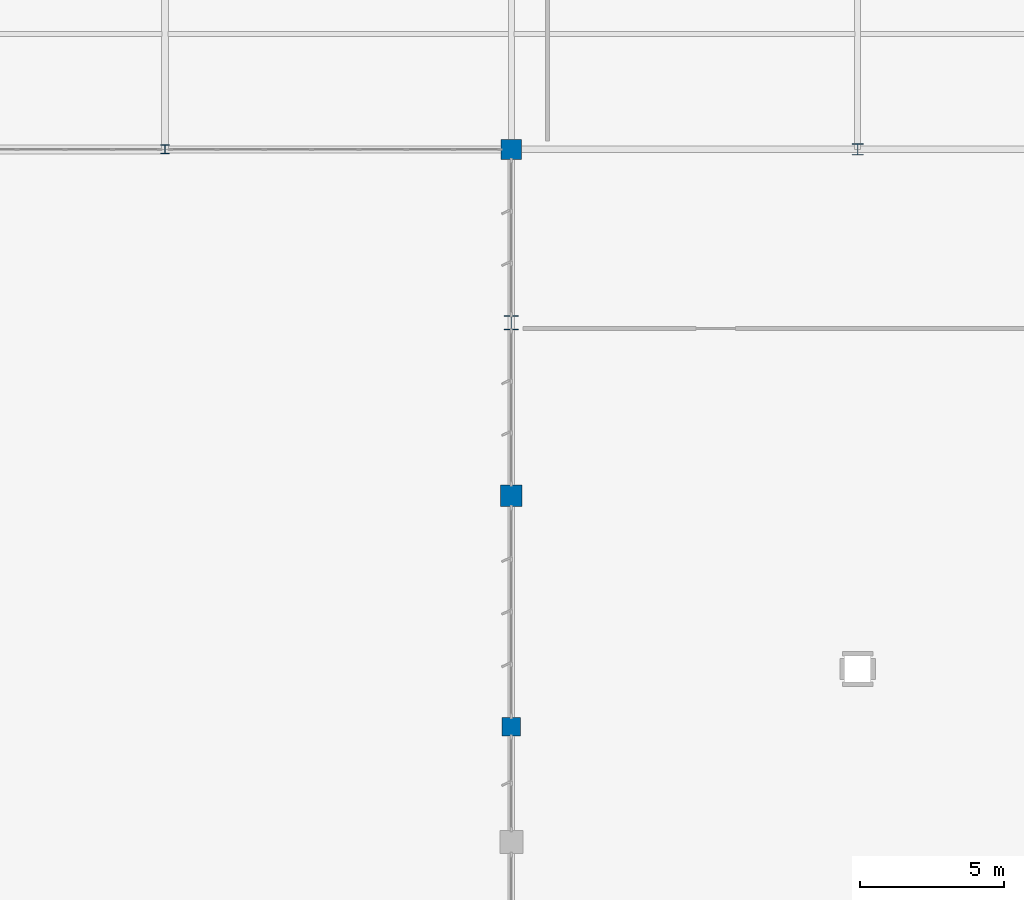
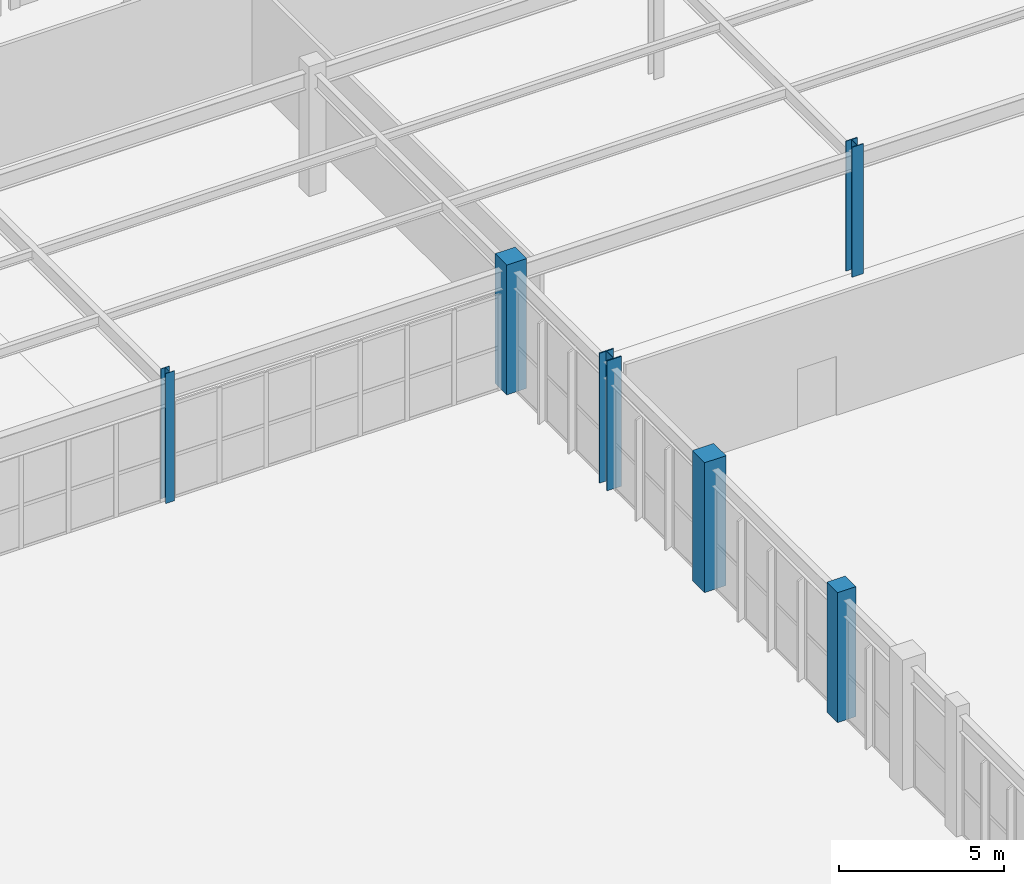
# One storey, part 29 of 199: 6 columns.
"""IFC4 building model written with IfcOpenShell, lengths in metres."""

from ifc_helpers import new_model, si_unit, direction, frame, origin, origin_2d, place, context, subcontext, project, spatial, rectangle, i_section, extrude, material, material_profile, profile_set, type_object, element, save


model = new_model("IFC4")

# Units and contexts
model_context = context("Model", 3, precision=1e-05, world=origin(), true_north=direction((0.0, 1.0)))
body_context = subcontext(model_context, "Body", "Model", "MODEL_VIEW")
ifc_project = project(units=[si_unit("LENGTHUNIT", "METRE"), si_unit("AREAUNIT", "SQUARE_METRE"), si_unit("VOLUMEUNIT", "CUBIC_METRE"), si_unit("PLANEANGLEUNIT", "RADIAN"), si_unit("MASSUNIT", "GRAM", prefix="KILO")], contexts=[model_context])

# Site, building, storey
site_placement = place(None, origin())
site = spatial("IfcSite", under=ifc_project, at=site_placement, CompositionType="ELEMENT")
building_placement = place(site_placement, origin())
building = spatial("IfcBuilding", under=site, at=building_placement, Name="Tarnwether General Hospital", CompositionType="ELEMENT")
storey_placement = place(building_placement, origin())
storey = spatial("IfcBuildingStorey", under=building, at=storey_placement, Name="L00", CompositionType="ELEMENT", Elevation=0.0)

# Columns
ifc_material_1 = material(Name="Steel Grade 350 (350 MPa)", Category="steel")
ifc_material_profile_1 = material_profile(ifc_material_1, i_section(OverallWidth=0.5, OverallDepth=0.5, WebThickness=0.02197265625, FlangeThickness=0.035888671875, at=origin_2d()), Name="500WC380")
ifc_profile_set_1 = profile_set([ifc_material_profile_1], Name="Steel Grade 350 (350 MPa)")
column_type_1 = type_object("IfcColumnType", Name="COL-01", PredefinedType="COLUMN", material=ifc_profile_set_1)
column_1_placement = place(storey_placement, frame((108.0, 75.60009765625, 0.0), z_axis=(0.0, 0.0, 1.0), x_axis=(1.0, 0.0, 0.0)))
element("IfcColumn", 1, at=column_1_placement, inside=storey, type_object=column_type_1, Name="Column COLG-L00-10800_7560", PredefinedType="COLUMN", context=body_context, shape_type="SweptSolid", body=[
    extrude(i_section(OverallWidth=0.5, OverallDepth=0.5, WebThickness=0.02197265625, FlangeThickness=0.035888671875, at=origin_2d()), origin(), (0.0, 0.0, 1.0), 4.800048828125),
])
ifc_material_2 = material(Name="Steel Grade 350 (350 MPa)", Category="steel")
ifc_material_profile_2 = material_profile(ifc_material_2, i_section(OverallWidth=0.39990234375, OverallDepth=0.39990234375, WebThickness=0.02001953125, FlangeThickness=0.028076171875, at=origin_2d()), Name="400WC270")
ifc_profile_set_2 = profile_set([ifc_material_profile_2], Name="Steel Grade 350 (350 MPa)")
column_type_2 = type_object("IfcColumnType", Name="COL-02", PredefinedType="COLUMN", material=ifc_profile_set_2)
column_2_placement = place(storey_placement, frame((120.0, 81.60009765625, 0.0), z_axis=(0.0, 0.0, 1.0), x_axis=(1.0, 0.0, 0.0)))
element("IfcColumn", 2, at=column_2_placement, inside=storey, type_object=column_type_2, Name="Column COLG-L00-12000_8160", PredefinedType="COLUMN", context=body_context, shape_type="SweptSolid", body=[
    extrude(i_section(OverallWidth=0.39990234375, OverallDepth=0.39990234375, WebThickness=0.02001953125, FlangeThickness=0.028076171875, at=origin_2d()), origin(), (0.0, 0.0, 1.0), 4.800048828125),
])
ifc_material_3 = material(Name="Steel Grade 350 (350 MPa)", Category="steel")
ifc_material_profile_3 = material_profile(ifc_material_3, i_section(OverallWidth=0.304931640625, OverallDepth=0.30810546875, WebThickness=0.010009765625, FlangeThickness=0.015380859375, at=origin_2d()), Name="310UC96.8")
ifc_profile_set_3 = profile_set([ifc_material_profile_3], Name="Steel Grade 350 (350 MPa)")
column_type_3 = type_object("IfcColumnType", Name="COL-08", PredefinedType="COLUMN", material=ifc_profile_set_3)
column_3_placement = place(storey_placement, frame((96.0, 81.60009765625, 0.0), z_axis=(0.0, 0.0, 1.0), x_axis=(1.0, 0.0, 0.0)))
element("IfcColumn", 3, at=column_3_placement, inside=storey, type_object=column_type_3, Name="Column COLG-L00-9600_8160", PredefinedType="COLUMN", context=body_context, shape_type="SweptSolid", body=[
    extrude(i_section(OverallWidth=0.304931640625, OverallDepth=0.30810546875, WebThickness=0.010009765625, FlangeThickness=0.015380859375, at=origin_2d()), origin(), (0.0, 0.0, 1.0), 4.800048828125),
])
ifc_material_4 = material(Name="Concrete 50 MPa", Category="concrete")
ifc_material_profile_4 = material_profile(ifc_material_4, rectangle(XDim=0.75, YDim=0.75, at=origin_2d()), Name="RC-COL-750x750")
ifc_profile_set_4 = profile_set([ifc_material_profile_4], Name="Concrete 50 MPa")
column_type_4 = type_object("IfcColumnType", Name="COL-17", PredefinedType="COLUMN", material=ifc_profile_set_4)
column_4_placement = place(storey_placement, frame((108.0, 69.60009765625, 0.0), z_axis=(0.0, 0.0, 1.0), x_axis=(0.0, 1.0, 0.0)))
element("IfcColumn", 4, at=column_4_placement, inside=storey, type_object=column_type_4, Name="Column COLG-L00-10800_6960", PredefinedType="COLUMN", context=body_context, shape_type="SweptSolid", body=[
    extrude(rectangle(XDim=0.75, YDim=0.75, at=origin_2d()), origin(), (0.0, 0.0, 1.0), 4.800048828125),
])
ifc_material_5 = material(Name="Concrete 50 MPa", Category="concrete")
ifc_material_profile_5 = material_profile(ifc_material_5, rectangle(XDim=0.699951171875, YDim=0.699951171875, at=origin_2d()), Name="RC-COL-700x700")
ifc_profile_set_5 = profile_set([ifc_material_profile_5], Name="Concrete 50 MPa")
column_type_5 = type_object("IfcColumnType", Name="COL-18", PredefinedType="COLUMN", material=ifc_profile_set_5)
column_5_placement = place(storey_placement, frame((108.0, 81.60009765625, 0.0), z_axis=(0.0, 0.0, 1.0), x_axis=(0.0, 1.0, 0.0)))
element("IfcColumn", 5, at=column_5_placement, inside=storey, type_object=column_type_5, Name="Column COLG-L00-10800_8160", PredefinedType="COLUMN", context=body_context, shape_type="SweptSolid", body=[
    extrude(rectangle(XDim=0.699951171875, YDim=0.699951171875, at=origin_2d()), origin(), (0.0, 0.0, 1.0), 4.800048828125),
])
ifc_material_6 = material(Name="Concrete 50 MPa", Category="concrete")
ifc_material_profile_6 = material_profile(ifc_material_6, rectangle(XDim=0.64990234375, YDim=0.64990234375, at=origin_2d()), Name="RC-COL-650x650")
ifc_profile_set_6 = profile_set([ifc_material_profile_6], Name="Concrete 50 MPa")
column_type_6 = type_object("IfcColumnType", Name="COL-35", PredefinedType="COLUMN", material=ifc_profile_set_6)
column_6_placement = place(storey_placement, frame((108.0, 61.60009765625, 0.0), z_axis=(0.0, 0.0, 1.0), x_axis=(1.0, 0.0, 0.0)))
element("IfcColumn", 6, at=column_6_placement, inside=storey, type_object=column_type_6, Name="Column COLG-L00-10800_6160", PredefinedType="COLUMN", context=body_context, shape_type="SweptSolid", body=[
    extrude(rectangle(XDim=0.64990234375, YDim=0.64990234375, at=origin_2d()), origin(), (0.0, 0.0, 1.0), 4.800048828125),
])

save(model, "model.ifc")
